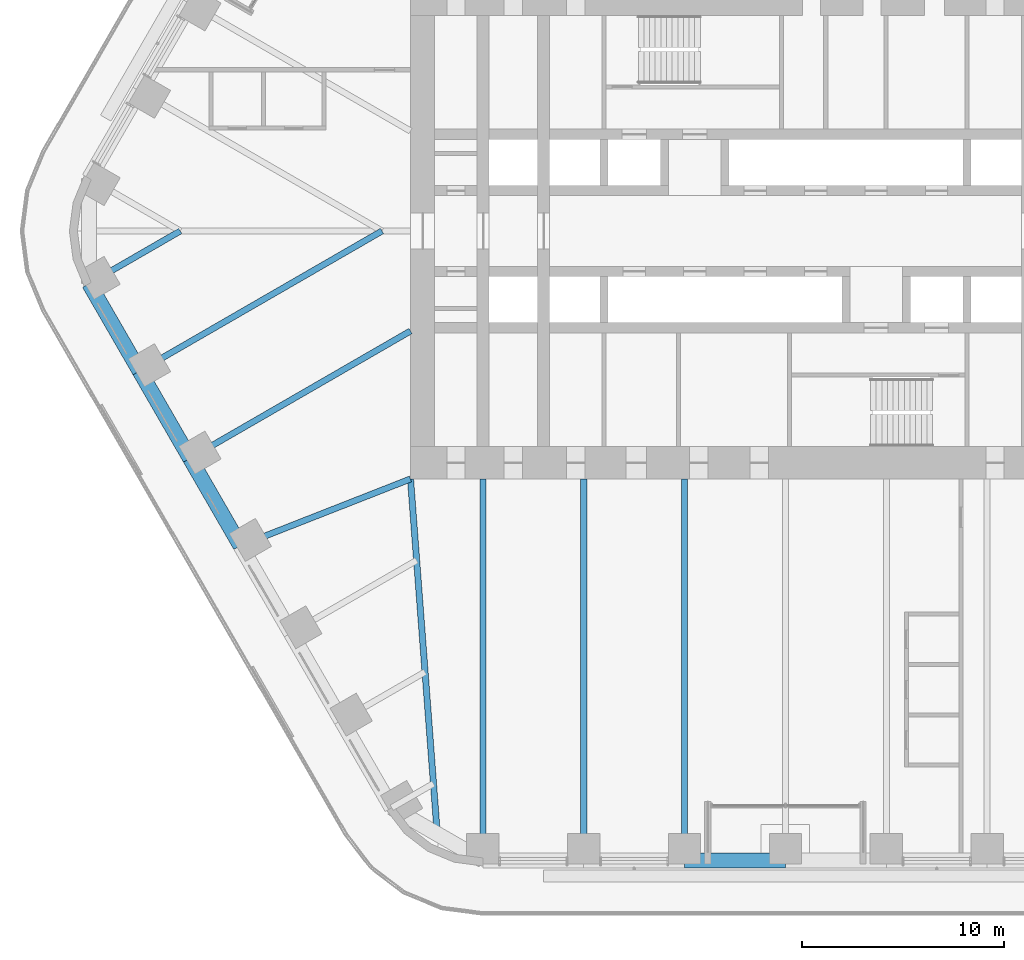
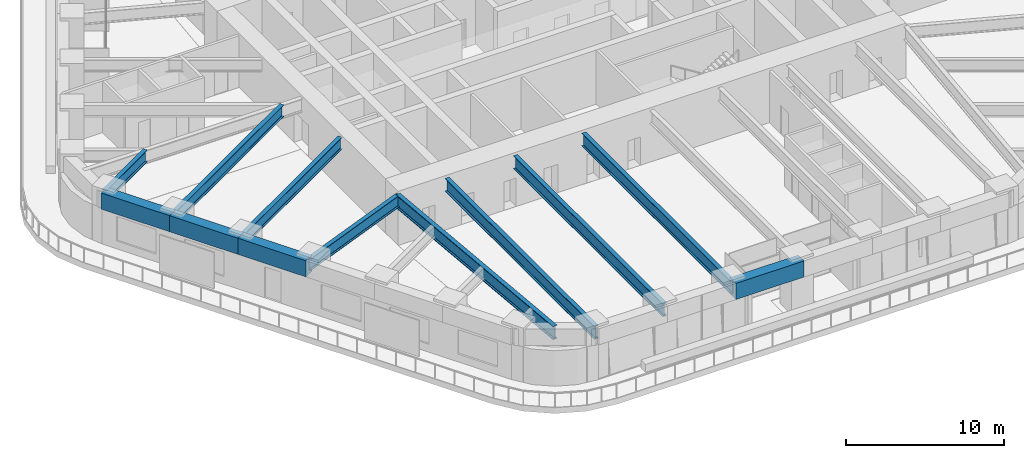
# One storey, part 3 of 24: 12 beams.
"""IFC4 building model written with IfcOpenShell, lengths in metres."""

from ifc_helpers import new_model, si_unit, direction, frame, origin, origin_2d, place, context, subcontext, project, spatial, rectangle, i_section, extrude, material, material_profile, profile_set, type_object, element, save


model = new_model("IFC4")

# Units and contexts
model_context = context("Model", 3, precision=1e-05, world=origin(), true_north=direction((0.0, 1.0)))
body_context = subcontext(model_context, "Body", "Model", "MODEL_VIEW")
ifc_project = project(units=[si_unit("LENGTHUNIT", "METRE"), si_unit("AREAUNIT", "SQUARE_METRE"), si_unit("VOLUMEUNIT", "CUBIC_METRE"), si_unit("PLANEANGLEUNIT", "RADIAN"), si_unit("MASSUNIT", "GRAM", prefix="KILO")], contexts=[model_context])

# Site, building, storey
site_placement = place(None, origin())
site = spatial("IfcSite", under=ifc_project, at=site_placement, CompositionType="ELEMENT")
building_placement = place(site_placement, origin())
building = spatial("IfcBuilding", under=site, at=building_placement, Name="Tarfa Lantern Tower", CompositionType="ELEMENT")
storey_placement = place(building_placement, frame((0.0, 0.0, 140.5)))
storey = spatial("IfcBuildingStorey", under=building, at=storey_placement, Name="L31", CompositionType="ELEMENT", Elevation=140.5)

# Beams
ifc_material_1 = material(Name="Concrete C80/95", Category="concrete")
ifc_material_profile_1 = material_profile(ifc_material_1, rectangle(XDim=0.75, YDim=1.25, at=origin_2d()), Name="RC 750x1250")
ifc_profile_set_1 = profile_set([ifc_material_profile_1], Name="Concrete C80/95")
beam_type_1 = type_object("IfcBeamType", Name="EB2 RC 750x1250", PredefinedType="SPANDREL", material=ifc_profile_set_1)
for number, where, z_axis, x_axis, name in (
    (1, (-34.54296875, -2.610107421875, 3.375), (0.500022324899, -0.866012514114, 0.0), (0.866012514114, 0.500022324899, 0.0), "Edge beam SW0"),
    (2, (-32.041015625, -6.943359375, 3.375), (0.500022324899, -0.866012514114, 0.0), (0.866012514114, 0.500022324899, 0.0), "Edge beam SW1"),
    (3, (-29.5390625, -11.276611328125, 3.375), (0.499964603504, -0.866045838996, 0.0), (0.866045838996, 0.499964603504, 0.0), "Edge beam SW2"),
    (4, (-5.003662109375, -31.219970703125, 3.375), (1.0, 0.0, 0.0), (0.0, 1.0, 0.0), "Edge beam S2"),
):
    element("IfcBeam", number, at=place(storey_placement, frame(where, z_axis=z_axis, x_axis=x_axis)), inside=storey, type_object=beam_type_1, Name=name, PredefinedType="SPANDREL", context=body_context, shape_type="SweptSolid", body=[
        extrude(rectangle(XDim=0.75, YDim=1.25, at=origin_2d()), origin(), (0.0, 0.0, 1.0), 5.003662109375),
    ])
ifc_material_2 = material(Name="Steel S460M", Category="steel")
ifc_material_profile_2 = material_profile(ifc_material_2, i_section(OverallWidth=0.302001953125, OverallDepth=1.008056640625, WebThickness=0.02099609375, FlangeThickness=0.0400390625, FilletRadius=0.030029296875, at=origin_2d()), Name="UB1016x305x349")
ifc_profile_set_2 = profile_set([ifc_material_profile_2], Name="Steel S460M")
beam_type_2 = type_object("IfcBeamType", Name="UB1016x305x349", PredefinedType="BEAM", material=ifc_profile_set_2)
for number, where, z_axis, x_axis, name in (
    (5, (-15.010986328125, -31.219970703125, 3.495849609375), (0.0, 1.0, 0.0), (-1.0, 0.0, 0.0), "Floor beam S0"),
    (6, (-10.00732421875, -31.219970703125, 3.495849609375), (0.0, 1.0, 0.0), (-1.0, 0.0, 0.0), "Floor beam S1"),
    (7, (-5.003662109375, -31.219970703125, 3.495849609375), (0.0, 1.0, 0.0), (-1.0, 0.0, 0.0), "Floor beam S2"),
):
    element("IfcBeam", number, at=place(storey_placement, frame(where, z_axis=z_axis, x_axis=x_axis)), inside=storey, type_object=beam_type_2, Name=name, PredefinedType="BEAM", context=body_context, shape_type="SweptSolid", body=[
        extrude(i_section(OverallWidth=0.302001953125, OverallDepth=1.008056640625, WebThickness=0.02099609375, FlangeThickness=0.0400390625, FilletRadius=0.030029296875, at=origin_2d()), origin(), (0.0, 0.0, 1.0), 18.919921875),
    ])
ifc_material_profile_3 = material_profile(ifc_material_2, i_section(OverallWidth=0.30859375, OverallDepth=1.036376953125, WebThickness=0.030029296875, FlangeThickness=0.05419921875, FilletRadius=0.030029296875, at=origin_2d()), Name="UB1016x305x487")
ifc_profile_set_3 = profile_set([ifc_material_profile_3], Name="Steel S460M")
beam_type_3 = type_object("IfcBeamType", Name="UB1016x305x487", PredefinedType="BEAM", material=ifc_profile_set_3)
beam_1_placement = place(storey_placement, frame((-18.60009765625, -12.300048828125, 3.48193359375), z_axis=(0.075211516041, -0.99716760269, 0.0), x_axis=(0.99716760269, 0.075211516041, 0.0)))
element("IfcBeam", 8, at=beam_1_placement, inside=storey, type_object=beam_type_3, Name="Hip girder SW", PredefinedType="BEAM", context=body_context, shape_type="SweptSolid", body=[
    extrude(i_section(OverallWidth=0.30859375, OverallDepth=1.036376953125, WebThickness=0.030029296875, FlangeThickness=0.05419921875, FilletRadius=0.030029296875, at=origin_2d()), origin(), (0.0, 0.0, 1.0), 17.6650390625),
])
ifc_material_profile_4 = material_profile(ifc_material_2, i_section(OverallWidth=0.305419921875, OverallDepth=0.91845703125, WebThickness=0.017333984375, FlangeThickness=0.02783203125, FilletRadius=0.01904296875, at=origin_2d()), Name="UB914x305x253")
ifc_profile_set_4 = profile_set([ifc_material_profile_4], Name="Steel S460M")
beam_type_4 = type_object("IfcBeamType", Name="UB914x305x253", PredefinedType="BEAM", material=ifc_profile_set_4)
beam_2_placement = place(storey_placement, frame((-34.54296875, -2.610107421875, 3.540771484375), z_axis=(0.866021250859, 0.500007193008, 0.0), x_axis=(-0.500007193008, 0.866021250859, 0.0)))
element("IfcBeam", 9, at=beam_2_placement, inside=storey, type_object=beam_type_4, Name="Floor beam SW0", PredefinedType="BEAM", context=body_context, shape_type="SweptSolid", body=[
    extrude(i_section(OverallWidth=0.305419921875, OverallDepth=0.91845703125, WebThickness=0.017333984375, FlangeThickness=0.02783203125, FilletRadius=0.01904296875, at=origin_2d()), origin(), (0.0, 0.0, 1.0), 5.22021484375),
])
beam_3_placement = place(storey_placement, frame((-32.041015625, -6.943359375, 3.540771484375), z_axis=(0.866023096411, 0.500003996466, 0.0), x_axis=(-0.500003996466, 0.866023096411, 0.0)))
element("IfcBeam", 10, at=beam_3_placement, inside=storey, type_object=beam_type_4, Name="Floor beam SW1", PredefinedType="BEAM", context=body_context, shape_type="SweptSolid", body=[
    extrude(i_section(OverallWidth=0.305419921875, OverallDepth=0.91845703125, WebThickness=0.017333984375, FlangeThickness=0.02783203125, FilletRadius=0.01904296875, at=origin_2d()), origin(), (0.0, 0.0, 1.0), 13.88671875),
])
beam_4_placement = place(storey_placement, frame((-29.5390625, -11.276611328125, 3.540771484375), z_axis=(0.866023362995, 0.500003534735, 0.0), x_axis=(-0.500003534735, 0.866023362995, 0.0)))
element("IfcBeam", 11, at=beam_4_placement, inside=storey, type_object=beam_type_4, Name="Floor beam SW2", PredefinedType="BEAM", context=body_context, shape_type="SweptSolid", body=[
    extrude(i_section(OverallWidth=0.305419921875, OverallDepth=0.91845703125, WebThickness=0.017333984375, FlangeThickness=0.02783203125, FilletRadius=0.01904296875, at=origin_2d()), origin(), (0.0, 0.0, 1.0), 12.63134765625),
])
beam_5_placement = place(storey_placement, frame((-27.037353515625, -15.610107421875, 3.540771484375), z_axis=(0.930923282782, 0.365214788274, 0.0), x_axis=(-0.365214788274, 0.930923282782, 0.0)))
element("IfcBeam", 12, at=beam_5_placement, inside=storey, type_object=beam_type_4, Name="Floor beam SW3", PredefinedType="BEAM", context=body_context, shape_type="SweptSolid", body=[
    extrude(i_section(OverallWidth=0.305419921875, OverallDepth=0.91845703125, WebThickness=0.017333984375, FlangeThickness=0.02783203125, FilletRadius=0.01904296875, at=origin_2d()), origin(), (0.0, 0.0, 1.0), 9.063232421875),
])

save(model, "model.ifc")
